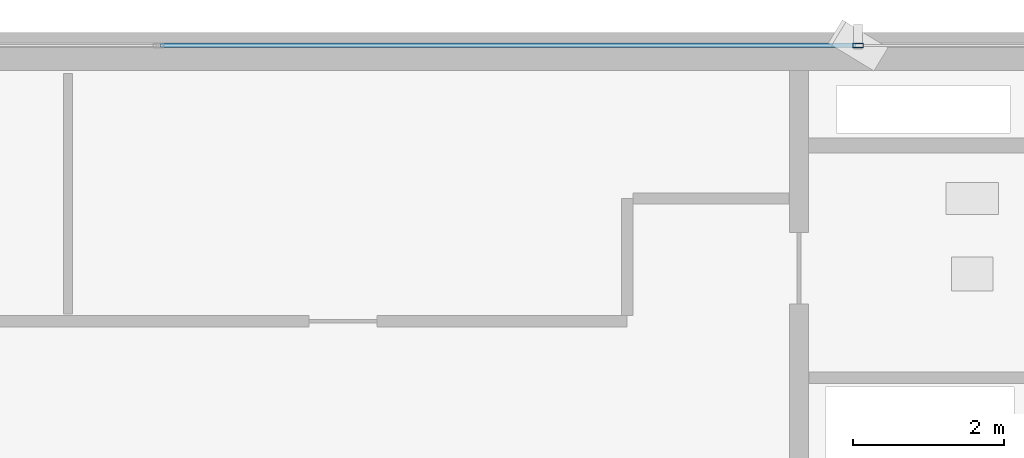
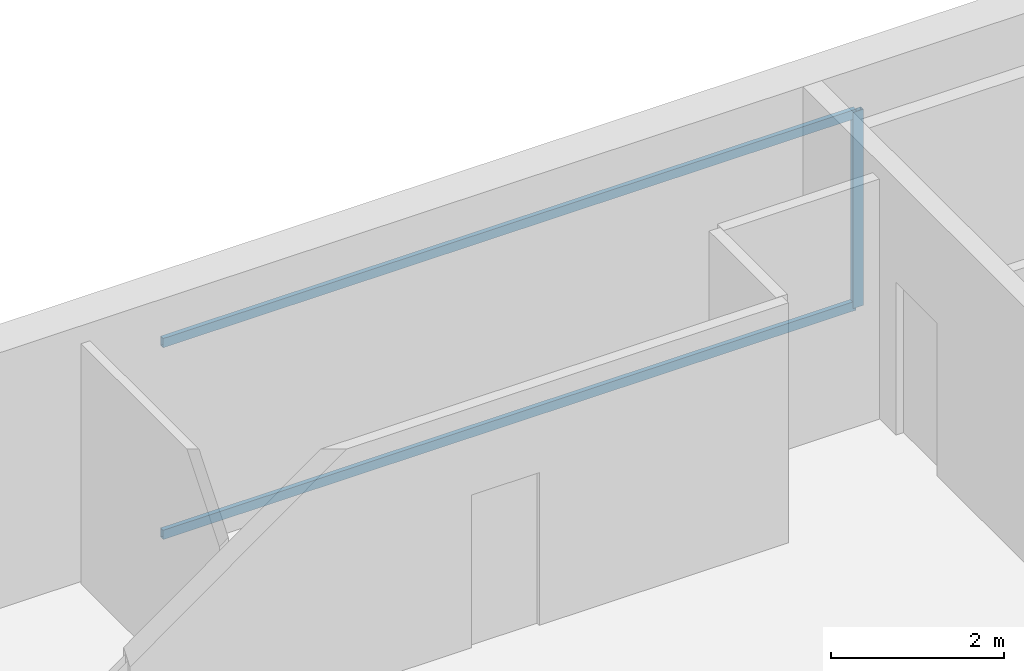
# One storey, part 21 of 30: 3 members, 1 element without a shape of its own.
"""IFC4 building model written with IfcOpenShell, lengths in metres."""

from ifc_helpers import new_model, si_unit, direction, frame, origin, origin_2d, place, context, subcontext, project, spatial, hollow_rectangle, extrude, source, transform, mapped, material, layer, layer_set, material_profile, profile_set, type_object, element, aggregate, save


model = new_model("IFC4")

# Units and contexts
model_context = context("Model", 3, precision=1e-05, world=origin(), true_north=direction((0.0, 1.0)))
body_context = subcontext(model_context, "Body", "Model", "MODEL_VIEW")
ifc_project = project(units=[si_unit("LENGTHUNIT", "METRE"), si_unit("AREAUNIT", "SQUARE_METRE"), si_unit("VOLUMEUNIT", "CUBIC_METRE"), si_unit("PLANEANGLEUNIT", "RADIAN"), si_unit("MASSUNIT", "GRAM", prefix="KILO")], contexts=[model_context])

# Site, building, storey
site_placement = place(None, origin())
site = spatial("IfcSite", under=ifc_project, at=site_placement, CompositionType="ELEMENT")
building_placement = place(site_placement, origin())
building = spatial("IfcBuilding", under=site, at=building_placement, Name="Sumidabori Civic Tower", CompositionType="ELEMENT")
storey_placement = place(building_placement, frame((0.0, 0.0, 200.0)))
storey = spatial("IfcBuildingStorey", under=building, at=storey_placement, Name="L51", CompositionType="ELEMENT", Elevation=200.0)

# Curtain wall, members
ifc_material = material(Name="Anodised Bronze Aluminium AW-6063-T6", Category="aluminium")
ifc_layer = layer(ifc_material, 0.179931640625, Name="Anodised Bronze Aluminium AW-6063-T6")
ifc_layer_set = layer_set([ifc_layer], Name="Anodised Bronze Aluminium AW-6063-T6")
curtain_wall_type = type_object("IfcCurtainWallType", Name="CW-SYS-5", PredefinedType="NOTDEFINED", material=ifc_layer_set)
curtain_wall_placement = place(storey_placement, origin())
curtain_wall = element("IfcCurtainWall", 1, at=curtain_wall_placement, inside=storey, type_object=curtain_wall_type, Name="Curtain Wall CW:L51:R13", PredefinedType="NOTDEFINED")
ifc_material_profile_1 = material_profile(ifc_material, hollow_rectangle(XDim=0.06005859375, YDim=0.139892578125, WallThickness=0.0048828125, at=origin_2d()), Name="ALU MULLION 140x60")
ifc_profile_set_1 = profile_set([ifc_material_profile_1], Name="Anodised Bronze Aluminium AW-6063-T6")
member_type_1 = type_object("IfcMemberType", Name="CW-MUL-140", PredefinedType="MULLION", material=ifc_profile_set_1)
shared_shape_1 = source(origin(), body_context, "Body", "SweptSolid", [
    extrude(hollow_rectangle(XDim=0.06005859375, YDim=0.139892578125, WallThickness=0.0048828125, at=origin_2d()), origin(), (0.0, 0.0, 1.0), 2.760009765625),
])
member_1_placement = place(storey_placement, frame((9.284912109375, 23.8798828125, 0.0), z_axis=(0.0, 0.0, 1.0), x_axis=(0.0, -1.0, 0.0)))
member_1 = element("IfcMember", 2, at=member_1_placement, type_object=member_type_1, Name="CW-5 mullion 2", PredefinedType="MULLION", context=body_context, shape_type="MappedRepresentation", body=[
    mapped(shared_shape_1, transform((0.0, 0.0, 0.0), x_axis=(1.0, 0.0, 0.0), y_axis=(0.0, 1.0, 0.0), z_axis=(0.0, 0.0, 1.0), scale=1.0)),
])
ifc_material_profile_2 = material_profile(ifc_material, hollow_rectangle(XDim=0.06005859375, YDim=0.1298828125, WallThickness=0.0048828125, at=origin_2d()), Name="ALU TRANSOM 130x60")
ifc_profile_set_2 = profile_set([ifc_material_profile_2], Name="Anodised Bronze Aluminium AW-6063-T6")
member_type_2 = type_object("IfcMemberType", Name="CW-TRN-130", PredefinedType="USERDEFINED", material=ifc_profile_set_2)
shared_shape_2 = source(origin(), body_context, "Body", "SweptSolid", [
    extrude(hollow_rectangle(XDim=0.06005859375, YDim=0.1298828125, WallThickness=0.0048828125, at=origin_2d()), origin(), (0.0, 0.0, 1.0), 9.224853515625),
])
member_2_placement = place(storey_placement, frame((9.2548828125, 23.8798828125, 0.030029296875), z_axis=(-1.0, 0.0, 0.0), x_axis=(0.0, -1.0, 0.0)))
member_2 = element("IfcMember", 3, at=member_2_placement, type_object=member_type_2, Name="CW-5 transom 2.1", ObjectType="TRANSOM", PredefinedType="USERDEFINED", context=body_context, shape_type="MappedRepresentation", body=[
    mapped(shared_shape_2, transform((0.0, 0.0, 0.0), x_axis=(1.0, 0.0, 0.0), y_axis=(0.0, 1.0, 0.0), z_axis=(0.0, 0.0, 1.0), scale=1.0)),
])
member_3_placement = place(storey_placement, frame((9.2548828125, 23.8798828125, 2.72998046875), z_axis=(-1.0, 0.0, 0.0), x_axis=(0.0, -1.0, 0.0)))
member_3 = element("IfcMember", 4, at=member_3_placement, type_object=member_type_2, Name="CW-5 transom 2.2", ObjectType="TRANSOM", PredefinedType="USERDEFINED", context=body_context, shape_type="MappedRepresentation", body=[
    mapped(shared_shape_2, transform((0.0, 0.0, 0.0), x_axis=(1.0, 0.0, 0.0), y_axis=(0.0, 1.0, 0.0), z_axis=(0.0, 0.0, 1.0), scale=1.0)),
])
aggregate(curtain_wall, [member_1, member_2, member_3])

save(model, "model.ifc")
